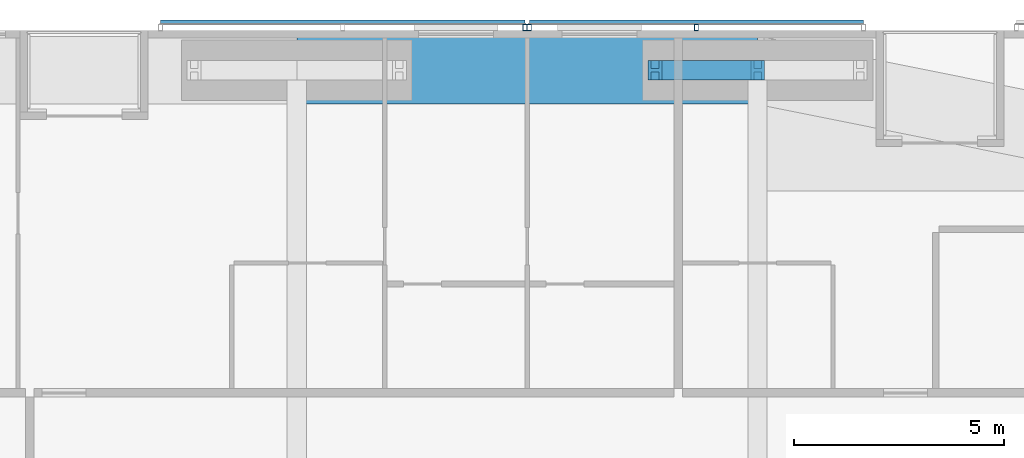
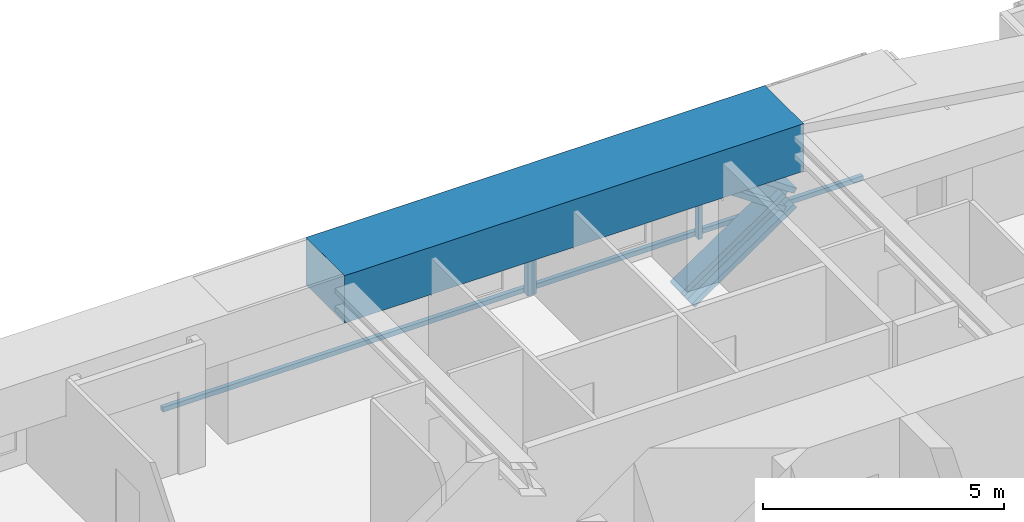
# One storey, part 14 of 24: 7 members, 1 beam, 2 elements without a shape of their own.
"""IFC4 building model written with IfcOpenShell, lengths in metres."""

from ifc_helpers import new_model, si_unit, direction, frame, origin, origin_2d, place, context, subcontext, project, spatial, rectangle, hollow_rectangle, i_section, extrude, material, material_profile, profile_set, type_object, element, aggregate, save


model = new_model("IFC4")

# Units and contexts
model_context = context("Model", 3, precision=1e-05, world=origin(), true_north=direction((0.0, 1.0)))
body_context = subcontext(model_context, "Body", "Model", "MODEL_VIEW")
ifc_project = project(units=[si_unit("LENGTHUNIT", "METRE"), si_unit("AREAUNIT", "SQUARE_METRE"), si_unit("VOLUMEUNIT", "CUBIC_METRE"), si_unit("PLANEANGLEUNIT", "RADIAN"), si_unit("MASSUNIT", "GRAM", prefix="KILO")], contexts=[model_context])

# Site, building, storey
site_placement = place(None, origin())
site = spatial("IfcSite", under=ifc_project, at=site_placement, CompositionType="ELEMENT")
building_placement = place(site_placement, origin())
building = spatial("IfcBuilding", under=site, at=building_placement, Name="Jalousie Tower", CompositionType="ELEMENT")
storey_placement = place(building_placement, frame((0.0, 0.0, 54.5)))
storey = spatial("IfcBuildingStorey", under=building, at=storey_placement, Name="L14", CompositionType="ELEMENT", Elevation=54.5)

# Members
ifc_material_1 = material(Name="Steel ASTM A992 Grade 50", Category="steel")
ifc_material_profile_1 = material_profile(ifc_material_1, i_section(OverallWidth=0.472412109375, OverallDepth=0.5791015625, WebThickness=0.094970703125, FlangeThickness=0.1298828125, at=origin_2d()), Name="W14X808")
ifc_profile_set_1 = profile_set([ifc_material_profile_1], Name="Steel ASTM A992 Grade 50")
member_type_1 = type_object("IfcMemberType", Name="PERIMETER BRACE W14X808", PredefinedType="BRACE", material=ifc_profile_set_1)
for number, where, z_axis, x_axis, name in (
    (1, (32.550048828125, 37.050048828125, -0.60009765625), (0.825500916831, 0.0, 0.564400776321), (0.0, 1.0, 0.0), "Perimeter brace 09 L14 part 1"),
    (2, (35.0, 37.050048828125, 1.074951171875), (-0.825500916831, 0.0, 0.564400776321), (0.0, -1.0, 0.0), "Perimeter brace 09 L14 part 4"),
):
    element("IfcMember", number, at=place(storey_placement, frame(where, z_axis=z_axis, x_axis=x_axis)), inside=storey, type_object=member_type_1, Name=name, PredefinedType="BRACE", context=body_context, shape_type="SweptSolid", body=[
        extrude(i_section(OverallWidth=0.472412109375, OverallDepth=0.5791015625, WebThickness=0.094970703125, FlangeThickness=0.1298828125, at=origin_2d()), origin(), (0.0, 0.0, 1.0), 2.9677734375),
    ])

# Beam
ifc_material_2 = material(Name="Concrete f'c 40 MPa", Category="concrete")
ifc_material_profile_2 = material_profile(ifc_material_2, rectangle(XDim=1.60009765625, YDim=1.199951171875, at=origin_2d()), Name="RC 1600x1200")
ifc_profile_set_2 = profile_set([ifc_material_profile_2], Name="Concrete f'c 40 MPa")
beam_type = type_object("IfcBeamType", Name="RC BEAM 1600x1200", PredefinedType="BEAM", material=ifc_profile_set_2)
beam_placement = place(storey_placement, frame((35.0, 37.050048828125, 2.75), z_axis=(-1.0, 0.0, 0.0), x_axis=(0.0, -1.0, 0.0)))
element("IfcBeam", 3, at=beam_placement, inside=storey, type_object=beam_type, Name="Edge band beam 09-10 under L15", PredefinedType="BEAM", context=body_context, shape_type="SweptSolid", body=[
    extrude(rectangle(XDim=1.60009765625, YDim=1.199951171875, at=origin_2d()), origin(), (0.0, 0.0, 1.0), 11.0),
])

# Curtain wall, members
ifc_material_3 = material(Name="Perforated aluminium sheet", Category="aluminium")
curtain_wall_type = type_object("IfcCurtainWallType", Name="SOLAR SCREEN SS-1", PredefinedType="USERDEFINED", material=ifc_material_3)
curtain_wall_1_placement = place(storey_placement, origin())
curtain_wall_1 = element("IfcCurtainWall", 4, at=curtain_wall_1_placement, inside=storey, type_object=curtain_wall_type, Name="Solar screen L14", ObjectType="SOLAR SCREEN SS-1", PredefinedType="USERDEFINED")
ifc_material_4 = material(Name="Steel ASTM A500 Grade C", Category="steel")
ifc_material_profile_3 = material_profile(ifc_material_4, hollow_rectangle(XDim=0.1015625, YDim=0.15234375, WallThickness=0.00634765625, at=origin_2d()), Name="HSS6X4X1/4")
ifc_profile_set_3 = profile_set([ifc_material_profile_3], Name="Steel ASTM A500 Grade C")
member_type_2 = type_object("IfcMemberType", Name="SOLAR SCREEN SS-1 MULLION", PredefinedType="MULLION", material=ifc_profile_set_3)
member_1_placement = place(storey_placement, frame((33.536865234375, 38.0712890625, -0.1201171875), z_axis=(0.0, 0.0, 1.0), x_axis=(-1.0, 0.0, 0.0)))
member_1 = element("IfcMember", 5, at=member_1_placement, type_object=member_type_2, Name="SS1 post 2", PredefinedType="MULLION", context=body_context, shape_type="SweptSolid", body=[
    extrude(hollow_rectangle(XDim=0.1015625, YDim=0.15234375, WallThickness=0.00634765625, at=origin_2d()), origin(), (0.0, 0.0, 1.0), 3.230224609375),
])
member_2_placement = place(storey_placement, frame((29.550048828125, 38.0712890625, -0.1201171875), z_axis=(0.0, 0.0, 1.0), x_axis=(-1.0, 0.0, 0.0)))
member_2 = element("IfcMember", 6, at=member_2_placement, type_object=member_type_2, Name="SS1 post 3", PredefinedType="MULLION", context=body_context, shape_type="SweptSolid", body=[
    extrude(hollow_rectangle(XDim=0.1015625, YDim=0.15234375, WallThickness=0.00634765625, at=origin_2d()), origin(), (0.0, 0.0, 1.0), 3.230224609375),
])

# Curtain wall, member
curtain_wall_2_placement = place(storey_placement, origin())
curtain_wall_2 = element("IfcCurtainWall", 7, at=curtain_wall_2_placement, inside=storey, type_object=curtain_wall_type, Name="Solar screen L14", ObjectType="SOLAR SCREEN SS-1", PredefinedType="USERDEFINED")
member_3_placement = place(storey_placement, frame((29.449951171875, 38.0712890625, -0.1201171875), z_axis=(0.0, 0.0, 1.0), x_axis=(-1.0, 0.0, 0.0)))
member_3 = element("IfcMember", 8, at=member_3_placement, type_object=member_type_2, Name="SS1 post 1", PredefinedType="MULLION", context=body_context, shape_type="SweptSolid", body=[
    extrude(hollow_rectangle(XDim=0.1015625, YDim=0.15234375, WallThickness=0.00634765625, at=origin_2d()), origin(), (0.0, 0.0, 1.0), 3.230224609375),
])

# Member
ifc_material_5 = material(Name="Extruded aluminium screen rail", Category="aluminium")
ifc_material_profile_4 = material_profile(ifc_material_5, rectangle(XDim=0.1015625, YDim=0.1201171875, at=origin_2d()), Name="RAIL 102x120")
ifc_profile_set_4 = profile_set([ifc_material_profile_4], Name="Extruded aluminium screen rail")
member_type_3 = type_object("IfcMemberType", Name="SOLAR SCREEN SS-1 TRANSOM", PredefinedType="USERDEFINED", material=ifc_profile_set_4)
member_4_placement = place(storey_placement, frame((37.523681640625, 38.1982421875, -0.06005859375), z_axis=(-1.0, 0.0, 0.0), x_axis=(0.0, -1.0, 0.0)))
member_4 = element("IfcMember", 9, at=member_4_placement, type_object=member_type_3, Name="SS1 rail", ObjectType="TRANSOM", PredefinedType="USERDEFINED", context=body_context, shape_type="SweptSolid", body=[
    extrude(rectangle(XDim=0.1015625, YDim=0.1201171875, at=origin_2d()), origin(), (0.0, 0.0, 1.0), 7.9736328125),
])

aggregate(curtain_wall_1, [member_1, member_2, member_4])

member_5_placement = place(storey_placement, frame((29.449951171875, 38.1982421875, -0.06005859375), z_axis=(-1.0, 0.0, 0.0), x_axis=(0.0, -1.0, 0.0)))
member_5 = element("IfcMember", 10, at=member_5_placement, type_object=member_type_3, Name="SS1 rail", ObjectType="TRANSOM", PredefinedType="USERDEFINED", context=body_context, shape_type="SweptSolid", body=[
    extrude(rectangle(XDim=0.1015625, YDim=0.1201171875, at=origin_2d()), origin(), (0.0, 0.0, 1.0), 8.699951171875),
])

aggregate(curtain_wall_2, [member_3, member_5])

save(model, "model.ifc")
